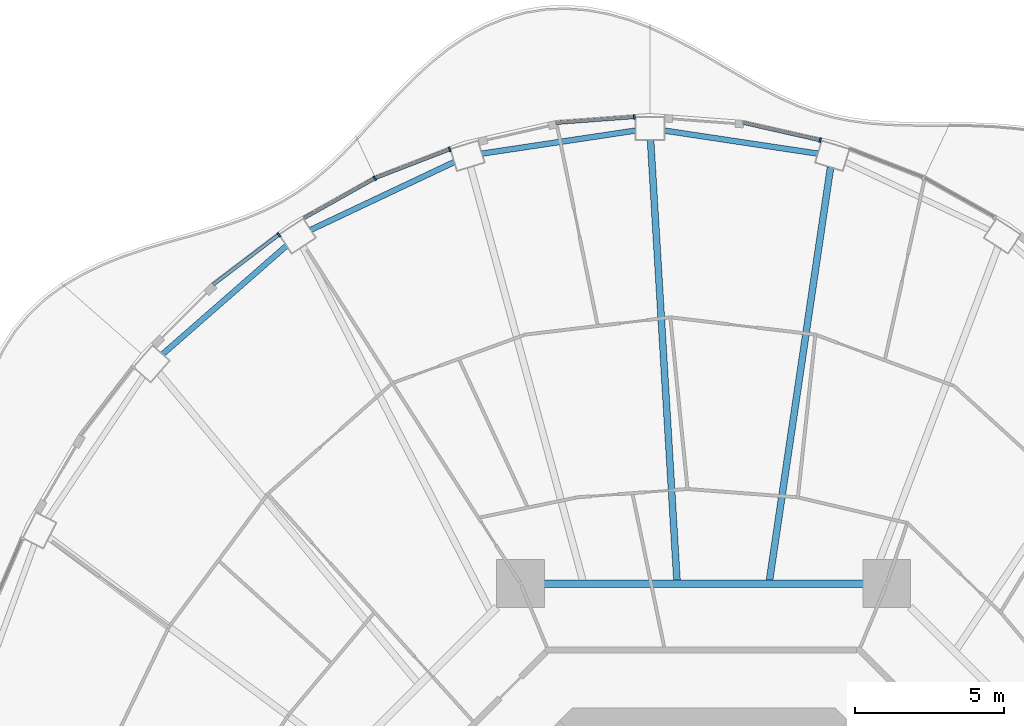
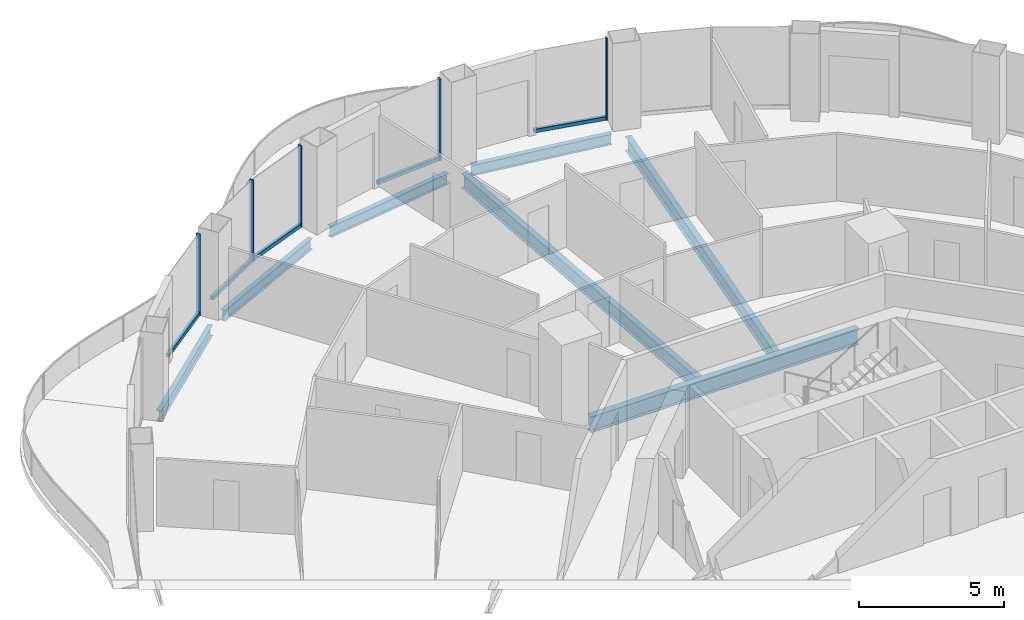
# One storey, part 6 of 18: 10 members, 7 beams, 5 elements without a shape of their own.
"""IFC4 building model written with IfcOpenShell, lengths in metres."""

from ifc_helpers import new_model, si_unit, direction, frame, origin, origin_2d, place, context, subcontext, project, spatial, rectangle, i_section, extrude, material, layer, layer_set, material_profile, profile_set, type_object, element, aggregate, save


model = new_model("IFC4")

# Units and contexts
model_context = context("Model", 3, precision=1e-05, world=origin(), true_north=direction((0.0, 1.0)))
body_context = subcontext(model_context, "Body", "Model", "MODEL_VIEW")
ifc_project = project(units=[si_unit("LENGTHUNIT", "METRE"), si_unit("AREAUNIT", "SQUARE_METRE"), si_unit("VOLUMEUNIT", "CUBIC_METRE"), si_unit("PLANEANGLEUNIT", "RADIAN"), si_unit("MASSUNIT", "GRAM", prefix="KILO")], contexts=[model_context])

# Site, building, storey
site_placement = place(None, origin())
site = spatial("IfcSite", under=ifc_project, at=site_placement, CompositionType="ELEMENT")
building_placement = place(site_placement, origin())
building = spatial("IfcBuilding", under=site, at=building_placement, Name="Nagisa Residences", CompositionType="ELEMENT")
storey_placement = place(building_placement, frame((0.0, 0.0, 230.699951171875)))
storey = spatial("IfcBuildingStorey", under=building, at=storey_placement, Name="L58", CompositionType="ELEMENT", Elevation=230.699951171875)

# Curtain wall, member
ifc_material_1 = material(Name="Concrete-coloured aluminium curtain wall system", Category="concrete")
ifc_layer = layer(ifc_material_1, 0.159912109375)
ifc_layer_set = layer_set([ifc_layer], Name="CW1 CURTAIN WALL")
curtain_wall_type = type_object("IfcCurtainWallType", Name="CW1 CURTAIN WALL", PredefinedType="NOTDEFINED", material=ifc_layer_set)
curtain_wall_1_placement = place(storey_placement, origin())
curtain_wall_1 = element("IfcCurtainWall", 1, at=curtain_wall_1_placement, inside=storey, type_object=curtain_wall_type, Name="cw:CW1:L58:10", PredefinedType="NOTDEFINED")
ifc_material_2 = material(Name="Concrete-coloured aluminium", Category="concrete")
ifc_material_profile_1 = material_profile(ifc_material_2, rectangle(XDim=0.159912109375, YDim=0.06005859375, at=origin_2d()), Name="CW1 MULLION 160x60")
ifc_profile_set_1 = profile_set([ifc_material_profile_1], Name="Concrete-coloured aluminium")
member_type_1 = type_object("IfcMemberType", Name="CW1 MULLION 160x60", PredefinedType="MULLION", material=ifc_profile_set_1)
member_1_placement = place(storey_placement, frame((3.895263671875, 29.61328125, 0.0), z_axis=(0.0, 0.0, 1.0), x_axis=(-0.2207639201, -0.975327274089, 0.0)))
member_1 = element("IfcMember", 2, at=member_1_placement, type_object=member_type_1, Name="CW1 mullion", PredefinedType="MULLION", context=body_context, shape_type="SweptSolid", body=[
    extrude(rectangle(XDim=0.159912109375, YDim=0.06005859375, at=origin_2d()), origin(), (0.0, 0.0, 1.0), 3.43994140625),
])

curtain_wall_2_placement = place(storey_placement, origin())
curtain_wall_2 = element("IfcCurtainWall", 3, at=curtain_wall_2_placement, inside=storey, type_object=curtain_wall_type, Name="cw:CW1:L58:12", PredefinedType="NOTDEFINED")
member_2_placement = place(storey_placement, frame((-2.322509765625, 30.388427734375, 0.0), z_axis=(0.0, 0.0, 1.0), x_axis=(0.074377355493, -0.997230168512, 0.0)))
member_2 = element("IfcMember", 4, at=member_2_placement, type_object=member_type_1, Name="CW1 mullion", PredefinedType="MULLION", context=body_context, shape_type="SweptSolid", body=[
    extrude(rectangle(XDim=0.159912109375, YDim=0.06005859375, at=origin_2d()), origin(), (0.0, 0.0, 1.0), 3.43994140625),
])

curtain_wall_3_placement = place(storey_placement, origin())
curtain_wall_3 = element("IfcCurtainWall", 5, at=curtain_wall_3_placement, inside=storey, type_object=curtain_wall_type, Name="cw:CW1:L58:14", PredefinedType="NOTDEFINED")
member_3_placement = place(storey_placement, frame((-8.495361328125, 29.308837890625, 0.0), z_axis=(0.0, 0.0, 1.0), x_axis=(0.360327770268, -0.932825759707, 0.0)))
member_3 = element("IfcMember", 6, at=member_3_placement, type_object=member_type_1, Name="CW1 mullion", PredefinedType="MULLION", context=body_context, shape_type="SweptSolid", body=[
    extrude(rectangle(XDim=0.159912109375, YDim=0.06005859375, at=origin_2d()), origin(), (0.0, 0.0, 1.0), 3.43994140625),
])

curtain_wall_4_placement = place(storey_placement, origin())
curtain_wall_4 = element("IfcCurtainWall", 7, at=curtain_wall_4_placement, inside=storey, type_object=curtain_wall_type, Name="cw:CW1:L58:15", PredefinedType="NOTDEFINED")
member_4_placement = place(storey_placement, frame((-10.998291015625, 28.33837890625, 0.0), z_axis=(0.0, 0.0, 1.0), x_axis=(0.489376918501, -0.872072377523, 0.0)))
member_4 = element("IfcMember", 8, at=member_4_placement, type_object=member_type_1, Name="CW1 mullion", PredefinedType="MULLION", context=body_context, shape_type="SweptSolid", body=[
    extrude(rectangle(XDim=0.159912109375, YDim=0.06005859375, at=origin_2d()), origin(), (0.0, 0.0, 1.0), 3.43994140625),
])

curtain_wall_5_placement = place(storey_placement, origin())
curtain_wall_5 = element("IfcCurtainWall", 9, at=curtain_wall_5_placement, inside=storey, type_object=curtain_wall_type, Name="cw:CW1:L58:16", PredefinedType="NOTDEFINED")
member_5_placement = place(storey_placement, frame((-14.20849609375, 26.45361328125, 0.0), z_axis=(0.0, 0.0, 1.0), x_axis=(0.605255421737, -0.79603132756, 0.0)))
member_5 = element("IfcMember", 10, at=member_5_placement, type_object=member_type_1, Name="CW1 mullion", PredefinedType="MULLION", context=body_context, shape_type="SweptSolid", body=[
    extrude(rectangle(XDim=0.159912109375, YDim=0.06005859375, at=origin_2d()), origin(), (0.0, 0.0, 1.0), 3.43994140625),
])

# Member
ifc_material_3 = material(Name="Concrete-coloured aluminium", Category="concrete")
ifc_material_profile_2 = material_profile(ifc_material_3, rectangle(XDim=0.1201171875, YDim=0.14990234375, at=origin_2d()), Name="CW1 TRANSOM 120x150")
ifc_profile_set_2 = profile_set([ifc_material_profile_2], Name="Concrete-coloured aluminium")
member_type_2 = type_object("IfcMemberType", Name="CW1 TRANSOM 120x150", PredefinedType="USERDEFINED", material=ifc_profile_set_2)
member_6_placement = place(storey_placement, frame((3.924560546875, 29.606689453125, 0.074951171875), z_axis=(-0.975324089124, 0.220777990694, 0.0), x_axis=(-0.220777990694, -0.975324089124, 0.0)))
member_6 = element("IfcMember", 11, at=member_6_placement, type_object=member_type_2, Name="CW1 transom", ObjectType="TRANSOM", PredefinedType="USERDEFINED", context=body_context, shape_type="SweptSolid", body=[
    extrude(rectangle(XDim=0.1201171875, YDim=0.14990234375, at=origin_2d()), origin(), (0.0, 0.0, 1.0), 2.666015625),
])

aggregate(curtain_wall_1, [member_1, member_6])

member_7_placement = place(storey_placement, frame((-2.292724609375, 30.390625, 0.074951171875), z_axis=(-0.997233213085, -0.074336523458, 0.0), x_axis=(0.074336523458, -0.997233213085, 0.0)))
member_7 = element("IfcMember", 12, at=member_7_placement, type_object=member_type_2, Name="CW1 transom", ObjectType="TRANSOM", PredefinedType="USERDEFINED", context=body_context, shape_type="SweptSolid", body=[
    extrude(rectangle(XDim=0.1201171875, YDim=0.14990234375, at=origin_2d()), origin(), (0.0, 0.0, 1.0), 2.650390625),
])

aggregate(curtain_wall_2, [member_2, member_7])

member_8_placement = place(storey_placement, frame((-8.46728515625, 29.319580078125, 0.074951171875), z_axis=(-0.932838255163, -0.360295420044, 0.0), x_axis=(0.360295420044, -0.932838255163, 0.0)))
member_8 = element("IfcMember", 13, at=member_8_placement, type_object=member_type_2, Name="CW1 transom", ObjectType="TRANSOM", PredefinedType="USERDEFINED", context=body_context, shape_type="SweptSolid", body=[
    extrude(rectangle(XDim=0.1201171875, YDim=0.14990234375, at=origin_2d()), origin(), (0.0, 0.0, 1.0), 2.6962890625),
])

aggregate(curtain_wall_3, [member_3, member_8])

member_9_placement = place(storey_placement, frame((-10.971923828125, 28.35302734375, 0.074951171875), z_axis=(-0.872063230277, -0.489393218586, 0.0), x_axis=(0.489393218586, -0.872063230277, 0.0)))
member_9 = element("IfcMember", 14, at=member_9_placement, type_object=member_type_2, Name="CW1 transom", ObjectType="TRANSOM", PredefinedType="USERDEFINED", context=body_context, shape_type="SweptSolid", body=[
    extrude(rectangle(XDim=0.1201171875, YDim=0.14990234375, at=origin_2d()), origin(), (0.0, 0.0, 1.0), 2.73828125),
])

aggregate(curtain_wall_4, [member_4, member_9])

member_10_placement = place(storey_placement, frame((-14.1845703125, 26.471923828125, 0.074951171875), z_axis=(-0.796022158395, -0.605267480825, 0.0), x_axis=(0.605267480825, -0.796022158395, 0.0)))
member_10 = element("IfcMember", 15, at=member_10_placement, type_object=member_type_2, Name="CW1 transom", ObjectType="TRANSOM", PredefinedType="USERDEFINED", context=body_context, shape_type="SweptSolid", body=[
    extrude(rectangle(XDim=0.1201171875, YDim=0.14990234375, at=origin_2d()), origin(), (0.0, 0.0, 1.0), 2.788818359375),
])

aggregate(curtain_wall_5, [member_5, member_10])

# Beams
ifc_material_4 = material(Name="Steel ASTM A572 Gr 50", Category="steel")
ifc_material_profile_3 = material_profile(ifc_material_4, i_section(OverallWidth=0.2529296875, OverallDepth=0.677978515625, WebThickness=0.01171875, FlangeThickness=0.016357421875, at=origin_2d()), Name="W690x125")
ifc_profile_set_3 = profile_set([ifc_material_profile_3], Name="Steel ASTM A572 Gr 50")
beam_type_1 = type_object("IfcBeamType", Name="Inner ring beam W690x125", PredefinedType="BEAM", material=ifc_profile_set_3)
beam_1_placement = place(storey_placement, frame((5.343017578125, 14.781982421875, -0.598876953125), z_axis=(-1.0, 0.0, 0.0), x_axis=(0.0, -1.0, 0.0)))
element("IfcBeam", 16, at=beam_1_placement, inside=storey, type_object=beam_type_1, Name="beam:L58:ib2", PredefinedType="BEAM", context=body_context, shape_type="SweptSolid", body=[
    extrude(i_section(OverallWidth=0.2529296875, OverallDepth=0.677978515625, WebThickness=0.01171875, FlangeThickness=0.016357421875, at=origin_2d()), origin(), (0.0, 0.0, 1.0), 10.68603515625),
])
ifc_material_5 = material(Name="Steel ASTM A572 Gr 50", Category="steel")
ifc_material_profile_4 = material_profile(ifc_material_5, i_section(OverallWidth=0.18994140625, OverallDepth=0.45703125, WebThickness=0.009033203125, FlangeThickness=0.014404296875, at=origin_2d()), Name="W460x74")
ifc_profile_set_4 = profile_set([ifc_material_profile_4], Name="Steel ASTM A572 Gr 50")
beam_type_2 = type_object("IfcBeamType", Name="Perimeter ring beam W460x74", PredefinedType="BEAM", material=ifc_profile_set_4)
for number, where, z_axis, x_axis, name in (
    (17, (3.8203125, 29.16357421875, -0.488525390625), (-0.988909463745, 0.148519603133, 0.0), (-0.148519603133, -0.988909463745, 0.0), "beam:L58:pb06"),
    (18, (-2.2802734375, 29.935546875, -0.488525390625), (-0.988909463745, -0.148519603133, 0.0), (0.148519603133, -0.988909463745, 0.0), "beam:L58:pb07"),
):
    element("IfcBeam", number, at=place(storey_placement, frame(where, z_axis=z_axis, x_axis=x_axis)), inside=storey, type_object=beam_type_2, Name=name, PredefinedType="BEAM", context=body_context, shape_type="SweptSolid", body=[
        extrude(i_section(OverallWidth=0.18994140625, OverallDepth=0.45703125, WebThickness=0.009033203125, FlangeThickness=0.014404296875, at=origin_2d()), origin(), (0.0, 0.0, 1.0), 5.19775390625),
    ])
beam_2_placement = place(storey_placement, frame((-8.339111328125, 28.884033203125, -0.488525390625), z_axis=(-0.904133867308, -0.42724928319, 0.0), x_axis=(0.42724928319, -0.904133867308, 0.0)))
element("IfcBeam", 19, at=beam_2_placement, inside=storey, type_object=beam_type_2, Name="beam:L58:pb08", PredefinedType="BEAM", context=body_context, shape_type="SweptSolid", body=[
    extrude(i_section(OverallWidth=0.18994140625, OverallDepth=0.45703125, WebThickness=0.009033203125, FlangeThickness=0.014404296875, at=origin_2d()), origin(), (0.0, 0.0, 1.0), 5.317138671875),
])
beam_3_placement = place(storey_placement, frame((-13.94970703125, 26.085693359375, -0.488525390625), z_axis=(-0.75242320672, -0.65867998147, 0.0), x_axis=(0.65867998147, -0.75242320672, 0.0)))
element("IfcBeam", 20, at=beam_3_placement, inside=storey, type_object=beam_type_2, Name="beam:L58:pb09", PredefinedType="BEAM", context=body_context, shape_type="SweptSolid", body=[
    extrude(i_section(OverallWidth=0.18994140625, OverallDepth=0.45703125, WebThickness=0.009033203125, FlangeThickness=0.014404296875, at=origin_2d()), origin(), (0.0, 0.0, 1.0), 5.5185546875),
])
ifc_material_6 = material(Name="Steel ASTM A572 Gr 50", Category="steel")
ifc_material_profile_5 = material_profile(ifc_material_6, i_section(OverallWidth=0.22802734375, OverallDepth=0.60302734375, WebThickness=0.010498046875, FlangeThickness=0.014892578125, at=origin_2d()), Name="W610x101")
ifc_profile_set_5 = profile_set([ifc_material_profile_5], Name="Steel ASTM A572 Gr 50")
beam_type_3 = type_object("IfcBeamType", Name="Radial beam W610x101", PredefinedType="BEAM", material=ifc_profile_set_5)
beam_4_placement = place(storey_placement, frame((4.244140625, 28.711181640625, -0.5615234375), z_axis=(-0.146228868188, -0.989250786256, 0.0), x_axis=(0.989250786256, -0.146228868188, 0.0)))
element("IfcBeam", 21, at=beam_4_placement, inside=storey, type_object=beam_type_3, Name="beam:L58:rb06", PredefinedType="BEAM", context=body_context, shape_type="SweptSolid", body=[
    extrude(i_section(OverallWidth=0.22802734375, OverallDepth=0.60302734375, WebThickness=0.010498046875, FlangeThickness=0.014892578125, at=origin_2d()), origin(), (0.0, 0.0, 1.0), 13.97265625),
])
beam_5_placement = place(storey_placement, frame((-1.777099609375, 29.627685546875, -0.5615234375), z_axis=(0.059871531939, -0.998206090776, 0.0), x_axis=(0.998206090776, 0.059871531939, 0.0)))
element("IfcBeam", 22, at=beam_5_placement, inside=storey, type_object=beam_type_3, Name="beam:L58:rb07", PredefinedType="BEAM", context=body_context, shape_type="SweptSolid", body=[
    extrude(i_section(OverallWidth=0.22802734375, OverallDepth=0.60302734375, WebThickness=0.010498046875, FlangeThickness=0.014892578125, at=origin_2d()), origin(), (0.0, 0.0, 1.0), 14.765380859375),
])

save(model, "model.ifc")
